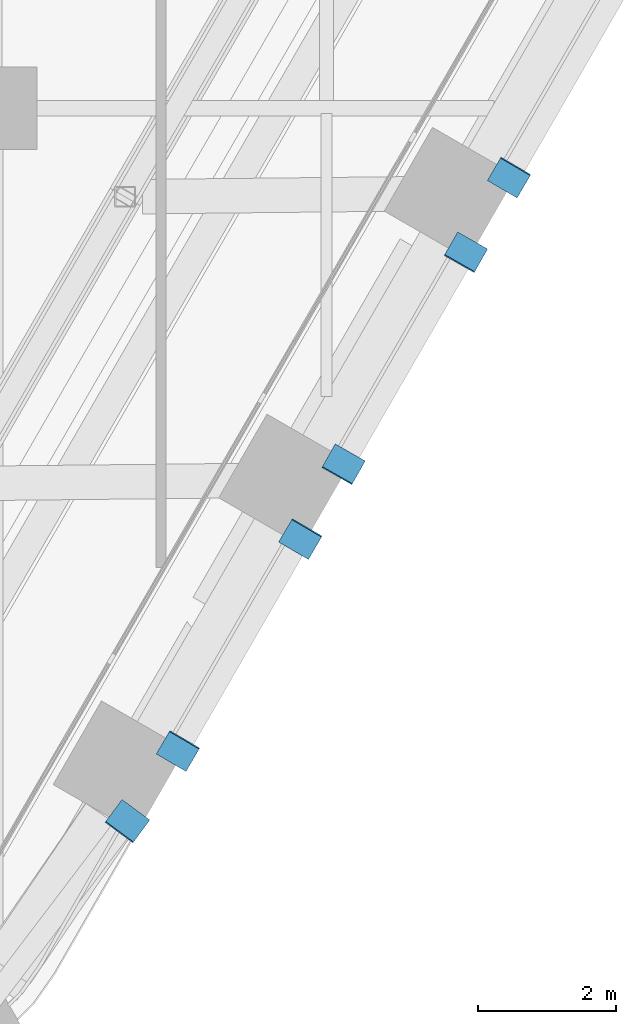
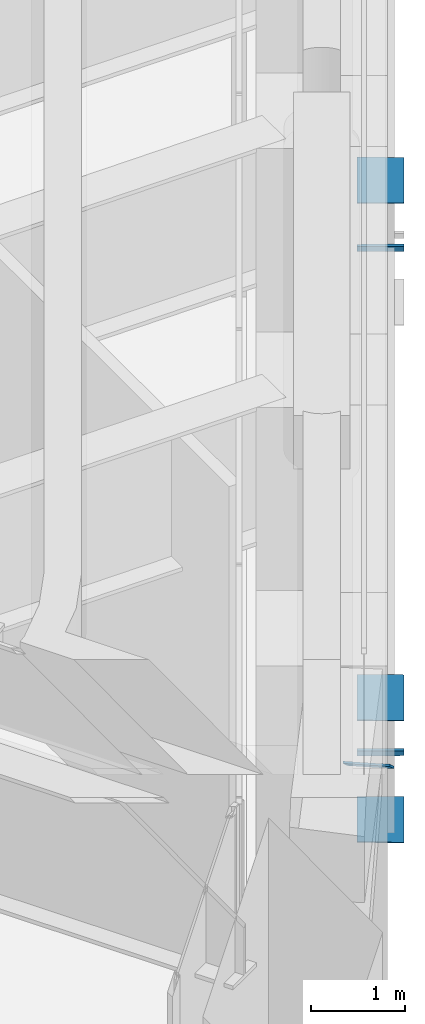
# One storey, part 28 of 35: 6 discrete accessories.
"""IFC4 building model written with IfcOpenShell, lengths in metres."""

from ifc_helpers import new_model, si_unit, direction, frame, origin, origin_2d, place, context, subcontext, project, spatial, rectangle, extrude, element, save


model = new_model("IFC4")

# Units and contexts
model_context = context("Model", 3, precision=1e-05, world=origin(), true_north=direction((0.0, 1.0)))
body_context = subcontext(model_context, "Body", "Model", "MODEL_VIEW")
ifc_project = project(units=[si_unit("LENGTHUNIT", "METRE"), si_unit("AREAUNIT", "SQUARE_METRE"), si_unit("VOLUMEUNIT", "CUBIC_METRE"), si_unit("PLANEANGLEUNIT", "RADIAN"), si_unit("MASSUNIT", "GRAM", prefix="KILO")], contexts=[model_context])

# Site, building, storey
site_placement = place(None, origin())
site = spatial("IfcSite", under=ifc_project, at=site_placement, CompositionType="ELEMENT")
building_placement = place(site_placement, origin())
building = spatial("IfcBuilding", under=site, at=building_placement, Name="Kolab Exchange Tower", CompositionType="ELEMENT")
storey_placement = place(building_placement, frame((0.0, 0.0, 71.89990234375)))
storey = spatial("IfcBuildingStorey", under=building, at=storey_placement, Name="L13", CompositionType="ELEMENT", Elevation=71.89990234375)

# Discrete accessories
for number, where, z_axis, x_axis, name in (
    (1, (26.6513671875, -20.19775390625, 4.4501953125), (-0.332614786834, -0.567401695188, 0.753274664301), (0.862697970098, -0.505719499712, 0.0), "Gusset plate"),
    (2, (26.017578125, -21.295654296875, 4.4501953125), (0.323872018217, 0.569229607776, 0.75570137584), (-0.869163832024, 0.494524249255, 0.0), "Gusset plate"),
    (3, (24.251220703125, -24.354736328125, 0.400146484375), (-0.323872018217, -0.569229607776, -0.75570137584), (0.869163832024, -0.494524249255, 0.0), "Gusset plate"),
    (4, (23.617431640625, -25.45263671875, 0.400146484375), (0.332614786834, 0.567401695188, -0.753274664301), (-0.862697970098, 0.505719499712, 0.0), "Gusset plate"),
    (5, (21.851318359375, -28.51171875, 4.4501953125), (-0.332614786834, -0.567401695188, 0.753274664301), (0.862697970098, -0.505719499712, 0.0), "Gusset plate"),
    (6, (21.110107421875, -29.5419921875, 4.4501953125), (0.362292688761, 0.489584714542, 0.793127237558), (-0.803841899203, 0.59484300541, 0.0), "Gusset plate"),
):
    element("IfcDiscreteAccessory", number, at=place(storey_placement, frame(where, z_axis=z_axis, x_axis=x_axis)), inside=storey, Name=name, ObjectType="GUSSET PLATE", PredefinedType="USERDEFINED", context=body_context, shape_type="SweptSolid", body=[
        extrude(rectangle(XDim=0.5, YDim=0.5, at=origin_2d()), origin(), (0.0, 0.0, 1.0), 0.02490234375),
    ])

save(model, "model.ifc")
